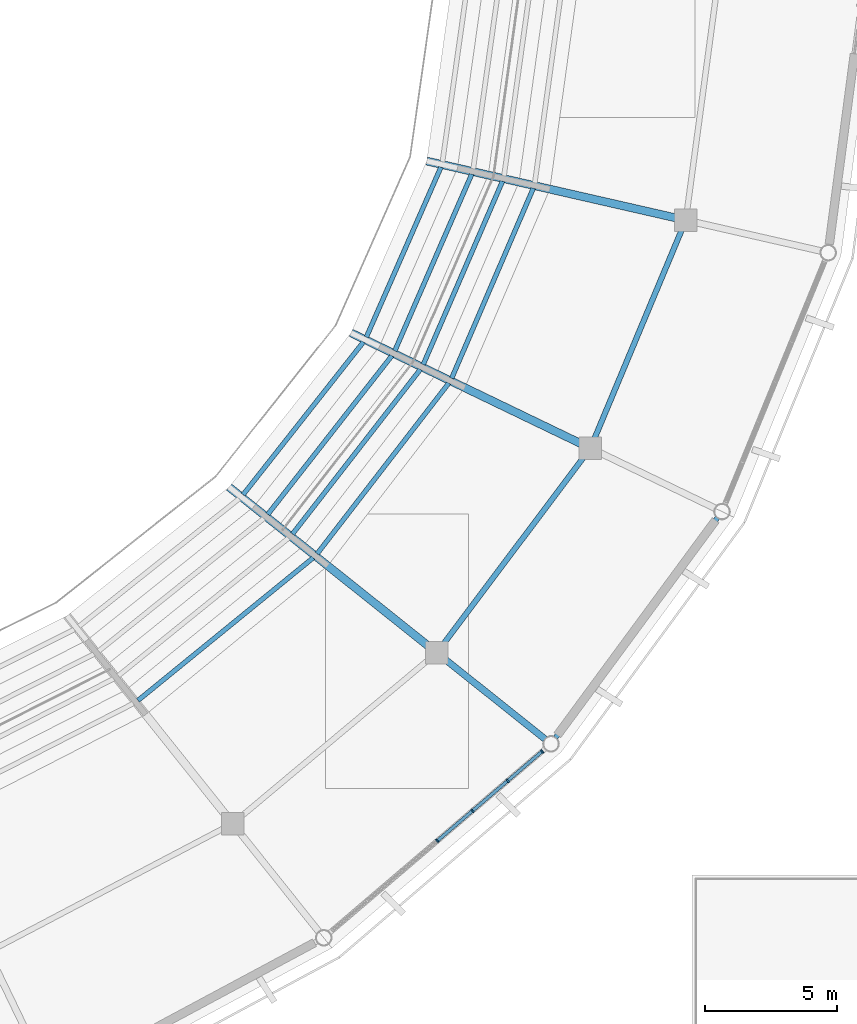
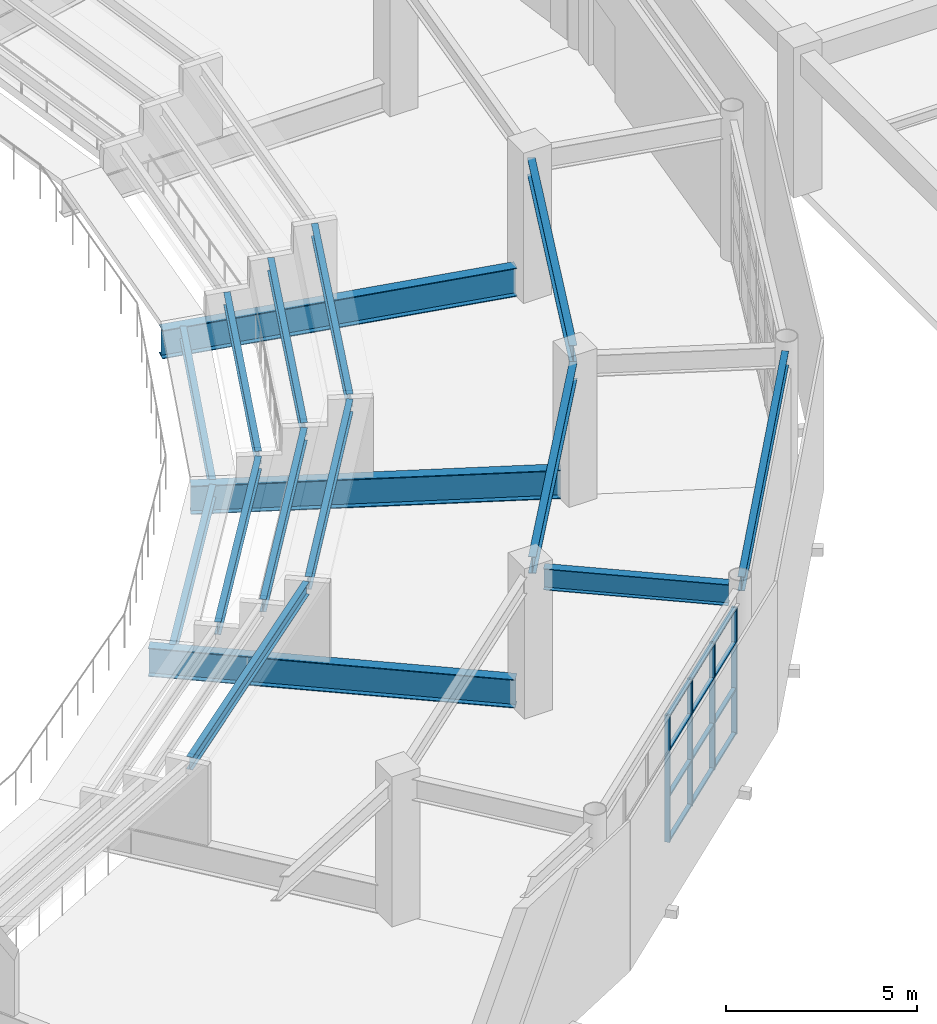
# One storey, part 39 of 122: 16 beams, 16 members, 1 element without a shape of its own.
"""IFC4 building model written with IfcOpenShell, lengths in metres."""

import ifcopenshell
import ifcopenshell.guid

model = None  # the IFC model being written
_history = None  # IfcOwnerHistory: only IFC2X3 demands one
_inside = {}  # id of a spatial element -> (the spatial element, [elements in it])
_under = {}  # id of a project, library or spatial element -> (it, [spatial elements below it])
_declared = {}  # id of a project -> (the project, [libraries it declares])
_typed = {}  # id of a type object -> (the type object, [elements of that type])
_made_of = {}  # id of a material, layer set ... -> (it, [elements and type objects made of it])


def new_model(schema):
    """Start an empty IFC model of exactly this schema.

    Asked for "IFC4X3", IfcOpenShell would pick the latest addendum, in which some entities
    have other attributes; the version numbers below select the first issue.
    IFC2X3 requires an IfcOwnerHistory on every rooted entity: one is made here for all.
    """
    global model, _history
    if schema == "IFC4X3":
        model = ifcopenshell.file(schema_version=(4, 3, 0, 0))
    else:
        model = ifcopenshell.file(schema=schema)
    _inside.clear()
    _under.clear()
    _declared.clear()
    _typed.clear()
    _made_of.clear()
    _history = None
    if model.schema == "IFC2X3":
        org = make("IfcOrganization", Name="unknown")
        user = make(
            "IfcPersonAndOrganization",
            ThePerson=make("IfcPerson", FamilyName="unknown"),
            TheOrganization=org,
        )
        app = make(
            "IfcApplication",
            ApplicationDeveloper=org,
            Version="unknown",
            ApplicationFullName="unknown",
            ApplicationIdentifier="unknown",
        )
        _history = make(
            "IfcOwnerHistory",
            OwningUser=user,
            OwningApplication=app,
            ChangeAction="ADDED",
            CreationDate=0,
        )
    return model


def make(cls, **values):
    """One entity of the class cls with the attributes given. An attribute that is None is left unset."""
    return model.create_entity(
        cls, **{name: value for name, value in values.items() if value is not None}
    )


def rooted(cls, **values):
    """An entity with a GlobalId (a new one), such as an element, a storey or a relation."""
    return make(cls, GlobalId=ifcopenshell.guid.new(), OwnerHistory=_history, **values)


def si_unit(unit_type, name, prefix=None):
    """IfcSIUnit, for example si_unit("LENGTHUNIT", "METRE", prefix="MILLI")."""
    return make("IfcSIUnit", UnitType=unit_type, Prefix=prefix, Name=name)


def assignment(units):
    """IfcUnitAssignment: the units of a project."""
    return None if units is None else make("IfcUnitAssignment", Units=units)


def point(xyz):
    """IfcCartesianPoint."""
    return None if xyz is None else make("IfcCartesianPoint", Coordinates=xyz)


def direction(xyz):
    """IfcDirection."""
    return None if xyz is None else make("IfcDirection", DirectionRatios=xyz)


def frame(location, z_axis=None, x_axis=None):
    """IfcAxis2Placement3D, a coordinate frame: its origin and axes. An axis left out is left unset."""
    return make(
        "IfcAxis2Placement3D",
        Location=point(location),
        Axis=direction(z_axis),
        RefDirection=direction(x_axis),
    )


def frame_2d(location, x_axis=None):
    """IfcAxis2Placement2D, a coordinate frame in the plane: its origin and x axis."""
    return make(
        "IfcAxis2Placement2D", Location=point(location), RefDirection=direction(x_axis)
    )


def origin():
    """The frame at (0, 0, 0) with its axes left unset."""
    return frame((0.0, 0.0, 0.0))


def origin_2d():
    """The frame at (0, 0) in the plane with its x axis left unset."""
    return frame_2d((0.0, 0.0))


def place(relative_to, where):
    """IfcLocalPlacement: puts the frame where relative to a parent placement (None: the world)."""
    return make(
        "IfcLocalPlacement", PlacementRelTo=relative_to, RelativePlacement=where
    )


def context(
    kind, dimensions, precision=None, world=None, true_north=None, identifier=None
):
    """IfcGeometricRepresentationContext, for example the 3D "Model" context."""
    return make(
        "IfcGeometricRepresentationContext",
        ContextIdentifier=identifier,
        ContextType=kind,
        CoordinateSpaceDimension=dimensions,
        Precision=precision,
        WorldCoordinateSystem=world,
        TrueNorth=true_north,
    )


def subcontext(parent, identifier, kind, view, scale=None):
    """IfcGeometricRepresentationSubContext, for example "Body" below "Model"."""
    return make(
        "IfcGeometricRepresentationSubContext",
        ContextIdentifier=identifier,
        ContextType=kind,
        ParentContext=parent,
        TargetScale=scale,
        TargetView=view,
    )


def project(units=None, contexts=None):
    """IfcProject with its units and contexts."""
    return rooted(
        "IfcProject",
        Name="project",
        RepresentationContexts=contexts,
        UnitsInContext=assignment(units),
    )


def spatial(cls, under=None, at=None, **own):
    """A site, building, storey or space (cls), placed at a placement, below another one or the project."""
    s = rooted(cls, ObjectPlacement=at, **own)
    if under is not None:
        _under.setdefault(under.id(), (under, []))[1].append(s)
    return s


def profile(cls, at=None, kind="AREA", **sizes):
    """A parametric profile (cls). Its sizes go by their IFC names, for example OverallWidth=200.0."""
    return make(cls, ProfileType=kind, Position=at, **sizes)


def rectangle(**sizes):
    """IfcRectangleProfileDef."""
    return profile("IfcRectangleProfileDef", **sizes)


def i_section(**sizes):
    """IfcIShapeProfileDef."""
    return profile("IfcIShapeProfileDef", **sizes)


def extrude(swept, where, along, depth):
    """IfcExtrudedAreaSolid: the profile swept, set in the frame where, extruded along a direction by depth."""
    return make(
        "IfcExtrudedAreaSolid",
        SweptArea=swept,
        Position=where,
        ExtrudedDirection=direction(along),
        Depth=depth,
    )


def shape(context_of_items, identifier, shape_type, items):
    """IfcShapeRepresentation: the items that make up one representation, for example the "Body"."""
    return make(
        "IfcShapeRepresentation",
        ContextOfItems=context_of_items,
        RepresentationIdentifier=identifier,
        RepresentationType=shape_type,
        Items=items,
    )


def material(Name=None, Category=None):
    """IfcMaterial."""
    return make("IfcMaterial", Name=Name, Category=Category)


def material_profile(
    of_material, cross_section, Name=None, Category=None, Priority=None
):
    """IfcMaterialProfile: a cross section and its material."""
    return make(
        "IfcMaterialProfile",
        Name=Name,
        Material=of_material,
        Profile=cross_section,
        Priority=Priority,
        Category=Category,
    )


def profile_set(profiles, Name=None, composite=None):
    """IfcMaterialProfileSet."""
    return make(
        "IfcMaterialProfileSet",
        Name=Name,
        MaterialProfiles=profiles,
        CompositeProfile=composite,
    )


def made_of(thing, what):
    """Note that an element or type object is made of a material, layer set ...; save() writes the relation."""
    if what is not None:
        _made_of.setdefault(what.id(), (what, []))[1].append(thing)
    return thing


def type_object(cls, material=None, **own):
    """A type object (cls), such as IfcWallType, which elements share."""
    return made_of(rooted(cls, **own), material)


def element(
    cls,
    number,
    at=None,
    inside=None,
    cuts=None,
    type_object=None,
    material=None,
    context=None,
    identifier="Body",
    shape_type=None,
    held_by="IfcProductDefinitionShape",
    body=None,
    shapes=None,
    **own,
):
    """One element of the class cls, such as IfcWall. Its Tag is "e" and its number.

    at: its placement. inside: the storey or other place that contains it. cuts: it is an
    opening in that element (IfcRelVoidsElement). A single representation is given by context,
    identifier, shape_type and body (its items); several are given by shapes. held_by: the class
    of the entity that holds the representations. save() writes the other relations.
    """
    e = rooted(cls, Tag="e%d" % number, ObjectPlacement=at, **own)
    if body is not None:
        shapes = [shape(context, identifier, shape_type, body)]
    if shapes is not None:
        e.Representation = make(held_by, Representations=shapes)
    if inside is not None:
        _inside.setdefault(inside.id(), (inside, []))[1].append(e)
    if cuts is not None:
        rooted(
            "IfcRelVoidsElement", RelatingBuildingElement=cuts, RelatedOpeningElement=e
        )
    if type_object is not None:
        _typed.setdefault(type_object.id(), (type_object, []))[1].append(e)
    return made_of(e, material)


def aggregate(whole, parts):
    """IfcRelAggregates: a whole, such as a stair, and the parts it consists of."""
    return rooted("IfcRelAggregates", RelatingObject=whole, RelatedObjects=parts)


def save(model, path):
    """Write the relations noted so far, then the file.

    IfcRelAggregates (storeys below a building ...), IfcRelContainedInSpatialStructure (elements
    in a storey), IfcRelDefinesByType, IfcRelAssociatesMaterial and IfcRelDeclares: one each for
    every whole, place, type object, material and project.
    """
    for whole, parts in _under.values():
        aggregate(whole, parts)
    for where, things in _inside.values():
        rooted(
            "IfcRelContainedInSpatialStructure",
            RelatedElements=things,
            RelatingStructure=where,
        )
    for kind, things in _typed.values():
        rooted("IfcRelDefinesByType", RelatedObjects=things, RelatingType=kind)
    for what, things in _made_of.values():
        rooted("IfcRelAssociatesMaterial", RelatedObjects=things, RelatingMaterial=what)
    for by, libraries in _declared.values():
        rooted("IfcRelDeclares", RelatingContext=by, RelatedDefinitions=libraries)
    model.write(path)


model = new_model("IFC4")

# Units and contexts
model_context = context("Model", 3, precision=1e-05, world=origin(), true_north=direction((0.0, 1.0)))
body_context = subcontext(model_context, "Body", "Model", "MODEL_VIEW")
ifc_project = project(units=[si_unit("LENGTHUNIT", "METRE"), si_unit("AREAUNIT", "SQUARE_METRE"), si_unit("VOLUMEUNIT", "CUBIC_METRE"), si_unit("PLANEANGLEUNIT", "RADIAN"), si_unit("MASSUNIT", "GRAM", prefix="KILO")], contexts=[model_context])

# Site, building, storey
site_placement = place(None, origin())
site = spatial("IfcSite", under=ifc_project, at=site_placement, CompositionType="ELEMENT")
building_placement = place(site_placement, origin())
building = spatial("IfcBuilding", under=site, at=building_placement, Name="Cuetzalor Civic Arena", CompositionType="ELEMENT")
storey_placement = place(building_placement, frame((0.0, 0.0, 16.199951171875)))
storey = spatial("IfcBuildingStorey", under=building, at=storey_placement, Name="L03", CompositionType="ELEMENT", Elevation=16.199951171875)

# Curtain wall, members
ifc_material_1 = material(Name="Anodised dark bronze aluminium and low-E solar glass", Category="aluminium")
curtain_wall_type = type_object("IfcCurtainWallType", Name="UnitisedCW_10550x4050", PredefinedType="USERDEFINED", material=ifc_material_1)
curtain_wall_placement = place(storey_placement, origin())
curtain_wall = element("IfcCurtainWall", 1, at=curtain_wall_placement, inside=storey, type_object=curtain_wall_type, Name="Drum Triangle Foyer Curtain Wall L03-055", ObjectType="UNITISED CURTAIN WALL", PredefinedType="USERDEFINED")
ifc_material_2 = material(Name="Anodised dark bronze aluminium", Category="aluminium")
ifc_material_profile_1 = material_profile(ifc_material_2, rectangle(XDim=0.06494140625, YDim=0.14990234375, at=origin_2d()), Name="ALU MULLION 65x150")
ifc_profile_set_1 = profile_set([ifc_material_profile_1], Name="Anodised dark bronze aluminium")
member_type_1 = type_object("IfcMemberType", Name="CurtainWallMullion_60x150", PredefinedType="MULLION", material=ifc_profile_set_1)
member_1_placement = place(storey_placement, frame((42.310791015625, -29.31201171875, 0.0), z_axis=(0.0, 0.0, 1.0), x_axis=(-0.760677142663, -0.64913040649, 0.0)))
member_1 = element("IfcMember", 2, at=member_1_placement, type_object=member_type_1, Name="CW-16 mullion 1", PredefinedType="MULLION", context=body_context, shape_type="SweptSolid", body=[
    extrude(rectangle(XDim=0.06494140625, YDim=0.14990234375, at=origin_2d()), origin(), (0.0, 0.0, 1.0), 4.052978515625),
])
member_2_placement = place(storey_placement, frame((41.00048828125, -30.43017578125, 0.0), z_axis=(0.0, 0.0, 1.0), x_axis=(-0.760677142663, -0.64913040649, 0.0)))
member_2 = element("IfcMember", 3, at=member_2_placement, type_object=member_type_1, Name="CW-16 mullion 2", PredefinedType="MULLION", context=body_context, shape_type="SweptSolid", body=[
    extrude(rectangle(XDim=0.06494140625, YDim=0.14990234375, at=origin_2d()), origin(), (0.0, 0.0, 1.0), 4.052978515625),
])
member_3_placement = place(storey_placement, frame((39.665283203125, -31.569580078125, 0.0), z_axis=(0.0, 0.0, 1.0), x_axis=(-0.760677142663, -0.64913040649, 0.0)))
member_3 = element("IfcMember", 4, at=member_3_placement, type_object=member_type_1, Name="CW-16 mullion 3", PredefinedType="MULLION", context=body_context, shape_type="SweptSolid", body=[
    extrude(rectangle(XDim=0.06494140625, YDim=0.14990234375, at=origin_2d()), origin(), (0.0, 0.0, 1.0), 4.052978515625),
])
member_4_placement = place(storey_placement, frame((38.330078125, -32.708984375, 0.0), z_axis=(0.0, 0.0, 1.0), x_axis=(-0.760677142663, -0.64913040649, 0.0)))
member_4 = element("IfcMember", 5, at=member_4_placement, type_object=member_type_1, Name="CW-16 mullion 4", PredefinedType="MULLION", context=body_context, shape_type="SweptSolid", body=[
    extrude(rectangle(XDim=0.06494140625, YDim=0.14990234375, at=origin_2d()), origin(), (0.0, 0.0, 1.0), 4.052978515625),
])
ifc_material_3 = material(Name="Anodised dark bronze aluminium", Category="aluminium")
ifc_material_profile_2 = material_profile(ifc_material_3, rectangle(XDim=0.1201171875, YDim=0.06494140625, at=origin_2d()), Name="ALU TRANSOM 65x120")
ifc_profile_set_2 = profile_set([ifc_material_profile_2], Name="Anodised dark bronze aluminium")
member_type_2 = type_object("IfcMemberType", Name="CurtainWallTransom_60x120", PredefinedType="USERDEFINED", material=ifc_profile_set_2)
member_5_placement = place(storey_placement, frame((42.2861328125, -29.3330078125, 0.032470703125), z_axis=(-0.760647860906, -0.649164718465, 0.0), x_axis=(0.649164718465, -0.760647860906, 0.0)))
member_5 = element("IfcMember", 6, at=member_5_placement, type_object=member_type_2, Name="CW-16 transom 1.1", ObjectType="TRANSOM", PredefinedType="USERDEFINED", context=body_context, shape_type="SweptSolid", body=[
    extrude(rectangle(XDim=0.1201171875, YDim=0.06494140625, at=origin_2d()), origin(), (0.0, 0.0, 1.0), 1.65771484375),
])
member_6_placement = place(storey_placement, frame((42.2861328125, -29.3330078125, 1.458984375), z_axis=(-0.760647860906, -0.649164718465, 0.0), x_axis=(0.649164718465, -0.760647860906, 0.0)))
member_6 = element("IfcMember", 7, at=member_6_placement, type_object=member_type_2, Name="CW-16 transom 1.2", ObjectType="TRANSOM", PredefinedType="USERDEFINED", context=body_context, shape_type="SweptSolid", body=[
    extrude(rectangle(XDim=0.1201171875, YDim=0.06494140625, at=origin_2d()), origin(), (0.0, 0.0, 1.0), 1.65771484375),
])
member_7_placement = place(storey_placement, frame((42.2861328125, -29.3330078125, 2.91796875), z_axis=(-0.760647860906, -0.649164718465, 0.0), x_axis=(0.649164718465, -0.760647860906, 0.0)))
member_7 = element("IfcMember", 8, at=member_7_placement, type_object=member_type_2, Name="CW-16 transom 1.3", ObjectType="TRANSOM", PredefinedType="USERDEFINED", context=body_context, shape_type="SweptSolid", body=[
    extrude(rectangle(XDim=0.1201171875, YDim=0.06494140625, at=origin_2d()), origin(), (0.0, 0.0, 1.0), 1.65771484375),
])
member_8_placement = place(storey_placement, frame((42.2861328125, -29.3330078125, 4.0205078125), z_axis=(-0.760647860906, -0.649164718465, 0.0), x_axis=(0.649164718465, -0.760647860906, 0.0)))
member_8 = element("IfcMember", 9, at=member_8_placement, type_object=member_type_2, Name="CW-16 transom 1.4", ObjectType="TRANSOM", PredefinedType="USERDEFINED", context=body_context, shape_type="SweptSolid", body=[
    extrude(rectangle(XDim=0.1201171875, YDim=0.06494140625, at=origin_2d()), origin(), (0.0, 0.0, 1.0), 1.65771484375),
])
member_9_placement = place(storey_placement, frame((40.9755859375, -30.451416015625, 0.032470703125), z_axis=(-0.760661918834, -0.649148245963, 0.0), x_axis=(0.649148245963, -0.760661918834, 0.0)))
member_9 = element("IfcMember", 10, at=member_9_placement, type_object=member_type_2, Name="CW-16 transom 2.1", ObjectType="TRANSOM", PredefinedType="USERDEFINED", context=body_context, shape_type="SweptSolid", body=[
    extrude(rectangle(XDim=0.1201171875, YDim=0.06494140625, at=origin_2d()), origin(), (0.0, 0.0, 1.0), 1.690185546875),
])
member_10_placement = place(storey_placement, frame((40.9755859375, -30.451416015625, 1.458984375), z_axis=(-0.760661918834, -0.649148245963, 0.0), x_axis=(0.649148245963, -0.760661918834, 0.0)))
member_10 = element("IfcMember", 11, at=member_10_placement, type_object=member_type_2, Name="CW-16 transom 2.2", ObjectType="TRANSOM", PredefinedType="USERDEFINED", context=body_context, shape_type="SweptSolid", body=[
    extrude(rectangle(XDim=0.1201171875, YDim=0.06494140625, at=origin_2d()), origin(), (0.0, 0.0, 1.0), 1.690185546875),
])
member_11_placement = place(storey_placement, frame((40.9755859375, -30.451416015625, 2.91796875), z_axis=(-0.760661918834, -0.649148245963, 0.0), x_axis=(0.649148245963, -0.760661918834, 0.0)))
member_11 = element("IfcMember", 12, at=member_11_placement, type_object=member_type_2, Name="CW-16 transom 2.3", ObjectType="TRANSOM", PredefinedType="USERDEFINED", context=body_context, shape_type="SweptSolid", body=[
    extrude(rectangle(XDim=0.1201171875, YDim=0.06494140625, at=origin_2d()), origin(), (0.0, 0.0, 1.0), 1.690185546875),
])
member_12_placement = place(storey_placement, frame((40.9755859375, -30.451416015625, 4.0205078125), z_axis=(-0.760661918834, -0.649148245963, 0.0), x_axis=(0.649148245963, -0.760661918834, 0.0)))
member_12 = element("IfcMember", 13, at=member_12_placement, type_object=member_type_2, Name="CW-16 transom 2.4", ObjectType="TRANSOM", PredefinedType="USERDEFINED", context=body_context, shape_type="SweptSolid", body=[
    extrude(rectangle(XDim=0.1201171875, YDim=0.06494140625, at=origin_2d()), origin(), (0.0, 0.0, 1.0), 1.690185546875),
])
member_13_placement = place(storey_placement, frame((39.640625, -31.590576171875, 0.032470703125), z_axis=(-0.760661918834, -0.649148245963, 0.0), x_axis=(0.649148245963, -0.760661918834, 0.0)))
member_13 = element("IfcMember", 14, at=member_13_placement, type_object=member_type_2, Name="CW-16 transom 3.1", ObjectType="TRANSOM", PredefinedType="USERDEFINED", context=body_context, shape_type="SweptSolid", body=[
    extrude(rectangle(XDim=0.1201171875, YDim=0.06494140625, at=origin_2d()), origin(), (0.0, 0.0, 1.0), 1.690185546875),
])
member_14_placement = place(storey_placement, frame((39.640625, -31.590576171875, 1.458984375), z_axis=(-0.760661918834, -0.649148245963, 0.0), x_axis=(0.649148245963, -0.760661918834, 0.0)))
member_14 = element("IfcMember", 15, at=member_14_placement, type_object=member_type_2, Name="CW-16 transom 3.2", ObjectType="TRANSOM", PredefinedType="USERDEFINED", context=body_context, shape_type="SweptSolid", body=[
    extrude(rectangle(XDim=0.1201171875, YDim=0.06494140625, at=origin_2d()), origin(), (0.0, 0.0, 1.0), 1.690185546875),
])
member_15_placement = place(storey_placement, frame((39.640625, -31.590576171875, 2.91796875), z_axis=(-0.760661918834, -0.649148245963, 0.0), x_axis=(0.649148245963, -0.760661918834, 0.0)))
member_15 = element("IfcMember", 16, at=member_15_placement, type_object=member_type_2, Name="CW-16 transom 3.3", ObjectType="TRANSOM", PredefinedType="USERDEFINED", context=body_context, shape_type="SweptSolid", body=[
    extrude(rectangle(XDim=0.1201171875, YDim=0.06494140625, at=origin_2d()), origin(), (0.0, 0.0, 1.0), 1.690185546875),
])
member_16_placement = place(storey_placement, frame((39.640625, -31.590576171875, 4.0205078125), z_axis=(-0.760661918834, -0.649148245963, 0.0), x_axis=(0.649148245963, -0.760661918834, 0.0)))
member_16 = element("IfcMember", 17, at=member_16_placement, type_object=member_type_2, Name="CW-16 transom 3.4", ObjectType="TRANSOM", PredefinedType="USERDEFINED", context=body_context, shape_type="SweptSolid", body=[
    extrude(rectangle(XDim=0.1201171875, YDim=0.06494140625, at=origin_2d()), origin(), (0.0, 0.0, 1.0), 1.690185546875),
])
aggregate(curtain_wall, [member_1, member_2, member_3, member_4, member_5, member_6, member_7, member_8, member_9, member_10, member_11, member_12, member_13, member_14, member_15, member_16])

# Beams
ifc_material_4 = material(Name="Steel S355", Category="steel")
ifc_material_profile_3 = material_profile(ifc_material_4, i_section(OverallWidth=0.18994140625, OverallDepth=0.45703125, WebThickness=0.009033203125, FlangeThickness=0.014404296875, at=origin_2d()), Name="W460x74")
ifc_profile_set_3 = profile_set([ifc_material_profile_3], Name="Steel S355")
beam_type_1 = type_object("IfcBeamType", Name="FacadeSpandrelBeam_W460", PredefinedType="SPANDREL", material=ifc_profile_set_3)
beam_1_placement = place(storey_placement, frame((42.82080078125, -28.7900390625, 4.29150390625), z_axis=(0.592928645702, 0.805255003776, 0.0), x_axis=(-0.805255003776, 0.592928645702, 0.0)))
element("IfcBeam", 18, at=beam_1_placement, inside=storey, type_object=beam_type_1, Name="Drum Perimeter Spandrel L03-S26", PredefinedType="SPANDREL", context=body_context, shape_type="SweptSolid", body=[
    extrude(i_section(OverallWidth=0.18994140625, OverallDepth=0.45703125, WebThickness=0.009033203125, FlangeThickness=0.014404296875, at=origin_2d()), origin(), (0.0, 0.0, 1.0), 10.380615234375),
])
ifc_material_5 = material(Name="Steel S355", Category="steel")
ifc_material_profile_4 = material_profile(ifc_material_5, i_section(OverallWidth=0.208984375, OverallDepth=0.532958984375, WebThickness=0.01025390625, FlangeThickness=0.015625, at=origin_2d()), Name="W530x92")
ifc_profile_set_4 = profile_set([ifc_material_profile_4], Name="Steel S355")
beam_type_2 = type_object("IfcBeamType", Name="SteelCollarGirder_W530", PredefinedType="BEAM", material=ifc_profile_set_4)
beam_2_placement = place(storey_placement, frame((38.531982421875, -25.26708984375, 4.253662109375), z_axis=(0.600491348624, 0.799631252658, 0.0), x_axis=(-0.799631252658, 0.600491348624, 0.0)))
element("IfcBeam", 19, at=beam_2_placement, inside=storey, type_object=beam_type_2, Name="Drum Concourse Ring Girder L03-S26", PredefinedType="BEAM", context=body_context, shape_type="SweptSolid", body=[
    extrude(i_section(OverallWidth=0.208984375, OverallDepth=0.532958984375, WebThickness=0.01025390625, FlangeThickness=0.015625, at=origin_2d()), origin(), (0.0, 0.0, 1.0), 8.9814453125),
])
beam_3_placement = place(storey_placement, frame((44.290283203125, -17.44775390625, 4.253662109375), z_axis=(0.385813116722, 0.922576955579, 0.0), x_axis=(-0.922576955579, 0.385813116722, 0.0)))
element("IfcBeam", 20, at=beam_3_placement, inside=storey, type_object=beam_type_2, Name="Drum Concourse Ring Girder L03-S27", PredefinedType="BEAM", context=body_context, shape_type="SweptSolid", body=[
    extrude(i_section(OverallWidth=0.208984375, OverallDepth=0.532958984375, WebThickness=0.01025390625, FlangeThickness=0.015625, at=origin_2d()), origin(), (0.0, 0.0, 1.0), 8.65283203125),
])
ifc_material_6 = material(Name="Steel S355", Category="steel")
ifc_material_profile_5 = material_profile(ifc_material_6, i_section(OverallWidth=0.2529296875, OverallDepth=0.677978515625, WebThickness=0.01171875, FlangeThickness=0.016357421875, at=origin_2d()), Name="W690x125")
ifc_profile_set_5 = profile_set([ifc_material_profile_5], Name="Steel S355")
beam_type_3 = type_object("IfcBeamType", Name="SteelPrimaryGirder_W690", PredefinedType="BEAM", material=ifc_profile_set_5)
beam_4_placement = place(storey_placement, frame((38.59130859375, -25.78759765625, 4.18115234375), z_axis=(0.781810957258, -0.623515538789, 0.0), x_axis=(0.623515538789, 0.781810957258, 0.0)))
element("IfcBeam", 21, at=beam_4_placement, inside=storey, type_object=beam_type_3, Name="Drum Radial Girder L03-R26", PredefinedType="BEAM", context=body_context, shape_type="SweptSolid", body=[
    extrude(i_section(OverallWidth=0.2529296875, OverallDepth=0.677978515625, WebThickness=0.01171875, FlangeThickness=0.016357421875, at=origin_2d()), origin(), (0.0, 0.0, 1.0), 4.89990234375),
])
ifc_material_7 = material(Name="Steel S355", Category="steel")
ifc_material_profile_6 = material_profile(ifc_material_7, i_section(OverallWidth=0.177978515625, OverallDepth=0.406982421875, WebThickness=0.0078125, FlangeThickness=0.0126953125, at=origin_2d()), Name="W410x60")
ifc_profile_set_6 = profile_set([ifc_material_profile_6], Name="Steel S355")
beam_type_4 = type_object("IfcBeamType", Name="SteelSecondaryBeam_W410", PredefinedType="BEAM", material=ifc_profile_set_6)
beam_5_placement = place(storey_placement, frame((26.9560546875, -27.3740234375, 3.25146484375), z_axis=(0.775407216872, 0.631461517452, 0.0), x_axis=(-0.631461517452, 0.775407216872, 0.0)))
element("IfcBeam", 22, at=beam_5_placement, inside=storey, type_object=beam_type_4, Name="Upper Bowl Tier Carrier Beam S25-R4", PredefinedType="BEAM", context=body_context, shape_type="SweptSolid", body=[
    extrude(i_section(OverallWidth=0.177978515625, OverallDepth=0.406982421875, WebThickness=0.0078125, FlangeThickness=0.0126953125, at=origin_2d()), origin(), (0.0, 0.0, 1.0), 8.58544921875),
])
beam_6_placement = place(storey_placement, frame((30.94921875, -19.55517578125, 0.70751953125), z_axis=(0.618890762306, 0.785477067986, 0.0), x_axis=(-0.785477067986, 0.618890762306, 0.0)))
element("IfcBeam", 23, at=beam_6_placement, inside=storey, type_object=beam_type_4, Name="Upper Bowl Tier Carrier Beam S26-R1", PredefinedType="BEAM", context=body_context, shape_type="SweptSolid", body=[
    extrude(i_section(OverallWidth=0.177978515625, OverallDepth=0.406982421875, WebThickness=0.0078125, FlangeThickness=0.0126953125, at=origin_2d()), origin(), (0.0, 0.0, 1.0), 7.387939453125),
])
beam_7_placement = place(storey_placement, frame((31.886962890625, -20.302978515625, 1.551513671875), z_axis=(0.61605368018, 0.787704172349, 0.0), x_axis=(-0.787704172349, 0.61605368018, 0.0)))
element("IfcBeam", 24, at=beam_7_placement, inside=storey, type_object=beam_type_4, Name="Upper Bowl Tier Carrier Beam S26-R2", PredefinedType="BEAM", context=body_context, shape_type="SweptSolid", body=[
    extrude(i_section(OverallWidth=0.177978515625, OverallDepth=0.406982421875, WebThickness=0.0078125, FlangeThickness=0.0126953125, at=origin_2d()), origin(), (0.0, 0.0, 1.0), 7.65478515625),
])
beam_8_placement = place(storey_placement, frame((32.824951171875, -21.051025390625, 2.401611328125), z_axis=(0.613370823241, 0.789795057719, 0.0), x_axis=(-0.789795057719, 0.613370823241, 0.0)))
element("IfcBeam", 25, at=beam_8_placement, inside=storey, type_object=beam_type_4, Name="Upper Bowl Tier Carrier Beam S26-R3", PredefinedType="BEAM", context=body_context, shape_type="SweptSolid", body=[
    extrude(i_section(OverallWidth=0.177978515625, OverallDepth=0.406982421875, WebThickness=0.0078125, FlangeThickness=0.0126953125, at=origin_2d()), origin(), (0.0, 0.0, 1.0), 7.92236328125),
])
beam_9_placement = place(storey_placement, frame((33.762939453125, -21.799072265625, 3.25146484375), z_axis=(0.610856847656, 0.791741063525, 0.0), x_axis=(-0.791741063525, 0.610856847656, 0.0)))
element("IfcBeam", 26, at=beam_9_placement, inside=storey, type_object=beam_type_4, Name="Upper Bowl Tier Carrier Beam S26-R4", PredefinedType="BEAM", context=body_context, shape_type="SweptSolid", body=[
    extrude(i_section(OverallWidth=0.177978515625, OverallDepth=0.406982421875, WebThickness=0.0078125, FlangeThickness=0.0126953125, at=origin_2d()), origin(), (0.0, 0.0, 1.0), 8.18994140625),
])
beam_10_placement = place(storey_placement, frame((35.631591796875, -13.568359375, 0.70751953125), z_axis=(0.401827995853, 0.915715164092, 0.0), x_axis=(-0.915715164092, 0.401827995853, 0.0)))
element("IfcBeam", 27, at=beam_10_placement, inside=storey, type_object=beam_type_4, Name="Upper Bowl Tier Carrier Beam S27-R1", PredefinedType="BEAM", context=body_context, shape_type="SweptSolid", body=[
    extrude(i_section(OverallWidth=0.177978515625, OverallDepth=0.406982421875, WebThickness=0.0078125, FlangeThickness=0.0126953125, at=origin_2d()), origin(), (0.0, 0.0, 1.0), 7.054443359375),
])
beam_11_placement = place(storey_placement, frame((36.71240234375, -14.089111328125, 1.551513671875), z_axis=(0.399312420553, 0.916814916323, 0.0), x_axis=(-0.916814916323, 0.399312420553, 0.0)))
element("IfcBeam", 28, at=beam_11_placement, inside=storey, type_object=beam_type_4, Name="Upper Bowl Tier Carrier Beam S27-R2", PredefinedType="BEAM", context=body_context, shape_type="SweptSolid", body=[
    extrude(i_section(OverallWidth=0.177978515625, OverallDepth=0.406982421875, WebThickness=0.0078125, FlangeThickness=0.0126953125, at=origin_2d()), origin(), (0.0, 0.0, 1.0), 7.32275390625),
])
beam_12_placement = place(storey_placement, frame((37.79345703125, -14.609619140625, 2.401611328125), z_axis=(0.396956554552, 0.917837400523, 0.0), x_axis=(-0.917837400523, 0.396956554552, 0.0)))
element("IfcBeam", 29, at=beam_12_placement, inside=storey, type_object=beam_type_4, Name="Upper Bowl Tier Carrier Beam S27-R3", PredefinedType="BEAM", context=body_context, shape_type="SweptSolid", body=[
    extrude(i_section(OverallWidth=0.177978515625, OverallDepth=0.406982421875, WebThickness=0.0078125, FlangeThickness=0.0126953125, at=origin_2d()), origin(), (0.0, 0.0, 1.0), 7.5908203125),
])
beam_13_placement = place(storey_placement, frame((38.87451171875, -15.130126953125, 3.25146484375), z_axis=(0.394758994464, 0.918784706169, 0.0), x_axis=(-0.918784706169, 0.394758994464, 0.0)))
element("IfcBeam", 30, at=beam_13_placement, inside=storey, type_object=beam_type_4, Name="Upper Bowl Tier Carrier Beam S27-R4", PredefinedType="BEAM", context=body_context, shape_type="SweptSolid", body=[
    extrude(i_section(OverallWidth=0.177978515625, OverallDepth=0.406982421875, WebThickness=0.0078125, FlangeThickness=0.0126953125, at=origin_2d()), origin(), (0.0, 0.0, 1.0), 7.858642578125),
])
ifc_material_8 = material(Name="Steel S355", Category="steel")
ifc_material_profile_7 = material_profile(ifc_material_8, i_section(OverallWidth=0.303955078125, OverallDepth=0.910888671875, WebThickness=0.015869140625, FlangeThickness=0.02392578125, at=origin_2d()), Name="W920x223")
ifc_profile_set_7 = profile_set([ifc_material_profile_7], Name="Steel S355")
beam_type_5 = type_object("IfcBeamType", Name="UpperBowlRakerBeam_W840", PredefinedType="USERDEFINED", material=ifc_profile_set_7)
for number, where, z_axis, x_axis, name in (
    (31, (30.4130859375, -19.265869140625, 0.45556640625), (0.781840685283, -0.623478261719, 0.0), (0.623478261719, 0.781840685283, 0.0), "Upper Bowl Raker Beam R26"),
    (32, (35.047607421875, -13.406982421875, 0.45556640625), (0.900974397219, -0.433872257187, 0.0), (0.433872257187, 0.900974397219, 0.0), "Upper Bowl Raker Beam R27"),
):
    element("IfcBeam", number, at=place(storey_placement, frame(where, z_axis=z_axis, x_axis=x_axis)), inside=storey, type_object=beam_type_5, Name=name, ObjectType="RAKER", PredefinedType="USERDEFINED", context=body_context, shape_type="SweptSolid", body=[
        extrude(i_section(OverallWidth=0.303955078125, OverallDepth=0.910888671875, WebThickness=0.015869140625, FlangeThickness=0.02392578125, at=origin_2d()), origin(), (0.0, 0.0, 1.0), 9.72021484375),
    ])
beam_14_placement = place(storey_placement, frame((37.9248046875, -6.8759765625, 0.45556640625), z_axis=(0.974928142216, -0.222519926106, 0.0), x_axis=(0.222519926106, 0.974928142216, 0.0)))
element("IfcBeam", 33, at=beam_14_placement, inside=storey, type_object=beam_type_5, Name="Upper Bowl Raker Beam R28", ObjectType="RAKER", PredefinedType="USERDEFINED", context=body_context, shape_type="SweptSolid", body=[
    extrude(i_section(OverallWidth=0.303955078125, OverallDepth=0.910888671875, WebThickness=0.015869140625, FlangeThickness=0.02392578125, at=origin_2d()), origin(), (0.0, 0.0, 1.0), 9.7197265625),
])

save(model, "model.ifc")
